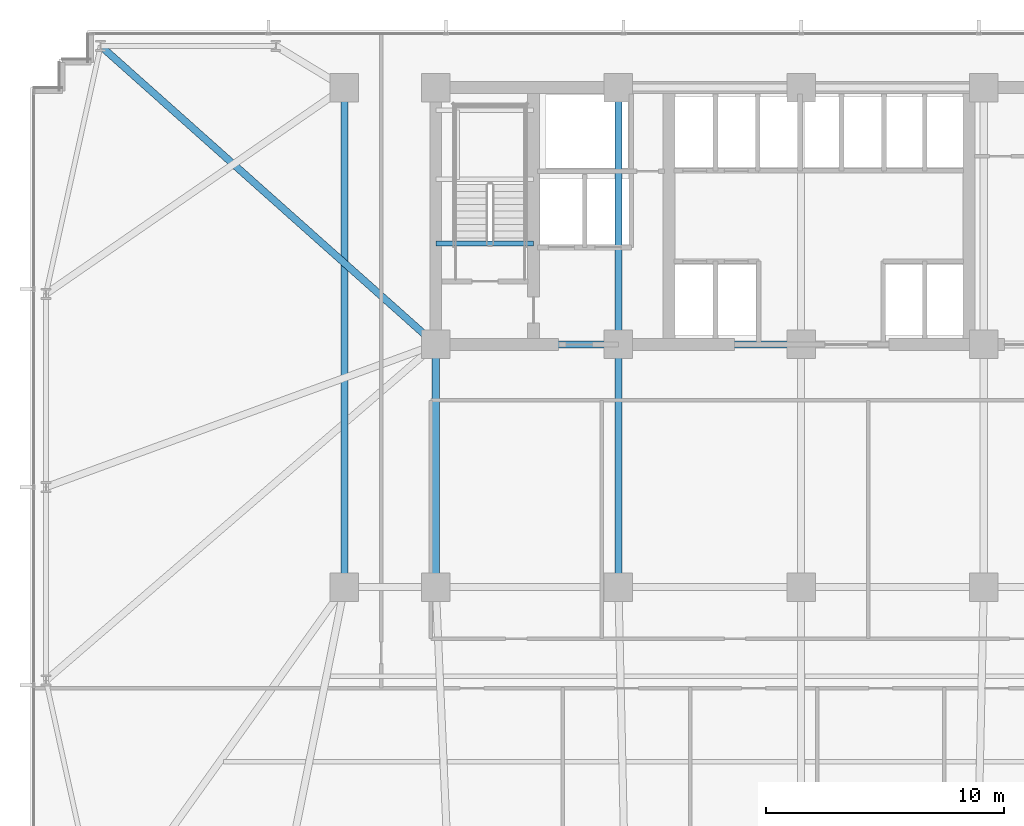
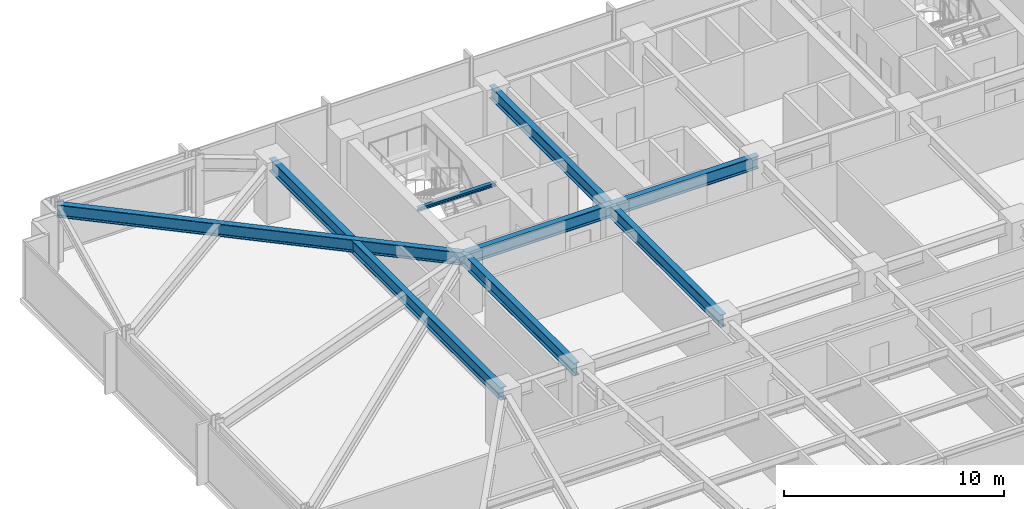
# One storey, part 10 of 32: 8 beams.
"""IFC4 building model written with IfcOpenShell, lengths in metres."""

from ifc_helpers import new_model, si_unit, direction, frame, origin, origin_2d, place, context, subcontext, project, spatial, i_section, extrude, material, material_profile, profile_set, type_object, element, save


model = new_model("IFC4")

# Units and contexts
model_context = context("Model", 3, precision=1e-05, world=origin(), true_north=direction((0.0, 1.0)))
body_context = subcontext(model_context, "Body", "Model", "MODEL_VIEW")
ifc_project = project(units=[si_unit("LENGTHUNIT", "METRE"), si_unit("AREAUNIT", "SQUARE_METRE"), si_unit("VOLUMEUNIT", "CUBIC_METRE"), si_unit("PLANEANGLEUNIT", "RADIAN"), si_unit("MASSUNIT", "GRAM", prefix="KILO")], contexts=[model_context])

# Site, building, storey
site_placement = place(None, origin())
site = spatial("IfcSite", under=ifc_project, at=site_placement, CompositionType="ELEMENT")
building_placement = place(site_placement, origin())
building = spatial("IfcBuilding", under=site, at=building_placement, Name="Yelkora Congress Tower", CompositionType="ELEMENT")
storey_placement = place(building_placement, frame((0.0, 0.0, 44.0)))
storey = spatial("IfcBuildingStorey", under=building, at=storey_placement, Name="L10", CompositionType="ELEMENT", Elevation=44.0)

# Beams
ifc_material = material(Name="Steel S355J2", Category="steel")
ifc_material_profile_1 = material_profile(ifc_material, i_section(OverallWidth=0.300048828125, OverallDepth=0.699951171875, WebThickness=0.01708984375, FlangeThickness=0.031982421875, FilletRadius=0.027099609375, at=origin_2d()), Name="HEB 700")
ifc_profile_set_1 = profile_set([ifc_material_profile_1], Name="Steel S355J2")
beam_type_1 = type_object("IfcBeamType", Name="BM-GIRD-HEB700", PredefinedType="BEAM", material=ifc_profile_set_1)
for number, where, z_axis, x_axis, name in (
    (1, (23.0400390625, 35.39990234375, 2.830078125), (1.0, 0.0, 0.0), (0.0, 1.0, 0.0), "L10 Core South Girder 1"),
    (2, (30.719970703125, 35.39990234375, 2.830078125), (1.0, 0.0, 0.0), (0.0, 1.0, 0.0), "L10 Core South Girder 2"),
):
    element("IfcBeam", number, at=place(storey_placement, frame(where, z_axis=z_axis, x_axis=x_axis)), inside=storey, type_object=beam_type_1, Name=name, PredefinedType="BEAM", context=body_context, shape_type="SweptSolid", body=[
        extrude(i_section(OverallWidth=0.300048828125, OverallDepth=0.699951171875, WebThickness=0.01708984375, FlangeThickness=0.031982421875, FilletRadius=0.027099609375, at=origin_2d()), origin(), (0.0, 0.0, 1.0), 7.679931640625),
    ])
for number, where, z_axis, x_axis, name in (
    (3, (23.0400390625, 25.199951171875, 2.830078125), (0.0, 1.0, 0.0), (-1.0, 0.0, 0.0), "L10 Core Tie Girder MC-D1"),
    (4, (30.719970703125, 25.199951171875, 2.830078125), (0.0, 1.0, 0.0), (-1.0, 0.0, 0.0), "L10 Core Tie Girder MC-D2"),
):
    element("IfcBeam", number, at=place(storey_placement, frame(where, z_axis=z_axis, x_axis=x_axis)), inside=storey, type_object=beam_type_1, Name=name, PredefinedType="BEAM", context=body_context, shape_type="SweptSolid", body=[
        extrude(i_section(OverallWidth=0.300048828125, OverallDepth=0.699951171875, WebThickness=0.01708984375, FlangeThickness=0.031982421875, FilletRadius=0.027099609375, at=origin_2d()), origin(), (0.0, 0.0, 1.0), 10.199951171875),
    ])
beam_1_placement = place(storey_placement, frame((30.719970703125, 35.39990234375, 2.830078125), z_axis=(0.0, 1.0, 0.0), x_axis=(-1.0, 0.0, 0.0)))
element("IfcBeam", 5, at=beam_1_placement, inside=storey, type_object=beam_type_1, Name="L10 Core Tie Girder MC-S2", PredefinedType="BEAM", context=body_context, shape_type="SweptSolid", body=[
    extrude(i_section(OverallWidth=0.300048828125, OverallDepth=0.699951171875, WebThickness=0.01708984375, FlangeThickness=0.031982421875, FilletRadius=0.027099609375, at=origin_2d()), origin(), (0.0, 0.0, 1.0), 10.800048828125),
])
beam_2_placement = place(storey_placement, frame((19.199951171875, 25.199951171875, 2.830078125), z_axis=(0.0, 1.0, 0.0), x_axis=(-1.0, 0.0, 0.0)))
element("IfcBeam", 6, at=beam_2_placement, inside=storey, type_object=beam_type_1, Name="L10 Neck Flank Girder MC-F1", PredefinedType="BEAM", context=body_context, shape_type="SweptSolid", body=[
    extrude(i_section(OverallWidth=0.300048828125, OverallDepth=0.699951171875, WebThickness=0.01708984375, FlangeThickness=0.031982421875, FilletRadius=0.027099609375, at=origin_2d()), origin(), (0.0, 0.0, 1.0), 21.0),
])
beam_3_placement = place(storey_placement, frame((8.949951171875, 47.949951171875, 2.830078125), z_axis=(0.746737189621, -0.665119214605, 0.0), x_axis=(0.665119214605, 0.746737189621, 0.0)))
element("IfcBeam", 7, at=beam_3_placement, inside=storey, type_object=beam_type_1, Name="L10 Primary Frame Girder N01", PredefinedType="BEAM", context=body_context, shape_type="SweptSolid", body=[
    extrude(i_section(OverallWidth=0.300048828125, OverallDepth=0.699951171875, WebThickness=0.01708984375, FlangeThickness=0.031982421875, FilletRadius=0.027099609375, at=origin_2d()), origin(), (0.0, 0.0, 1.0), 18.868896484375),
])
ifc_material_profile_2 = material_profile(ifc_material, i_section(OverallWidth=0.199951171875, OverallDepth=0.18994140625, WebThickness=0.006591796875, FlangeThickness=0.010009765625, FilletRadius=0.01806640625, at=origin_2d()), Name="HEA 200")
ifc_profile_set_2 = profile_set([ifc_material_profile_2], Name="Steel S355J2")
beam_type_2 = type_object("IfcBeamType", Name="BM-LAND-HEA200", PredefinedType="BEAM", material=ifc_profile_set_2)
beam_4_placement = place(storey_placement, frame((23.0400390625, 39.639892578125, 2.947509765625), z_axis=(1.0, 0.0, 0.0), x_axis=(0.0, 1.0, 0.0)))
element("IfcBeam", 8, at=beam_4_placement, inside=storey, type_object=beam_type_2, Name="ST-01 L10 Floor Arrival Stringer Header Beam", PredefinedType="BEAM", context=body_context, shape_type="SweptSolid", body=[
    extrude(i_section(OverallWidth=0.199951171875, OverallDepth=0.18994140625, WebThickness=0.006591796875, FlangeThickness=0.010009765625, FilletRadius=0.01806640625, at=origin_2d()), origin(), (0.0, 0.0, 1.0), 4.10986328125),
])

save(model, "model.ifc")
